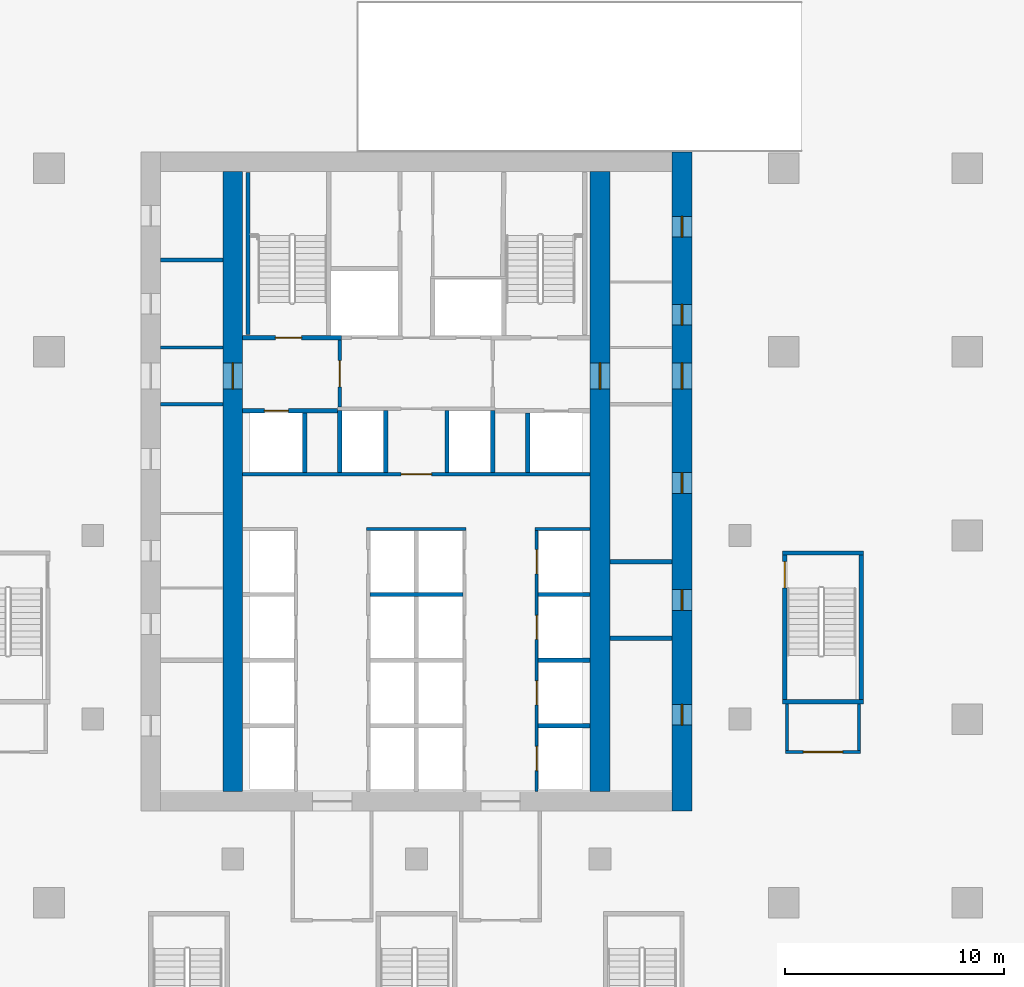
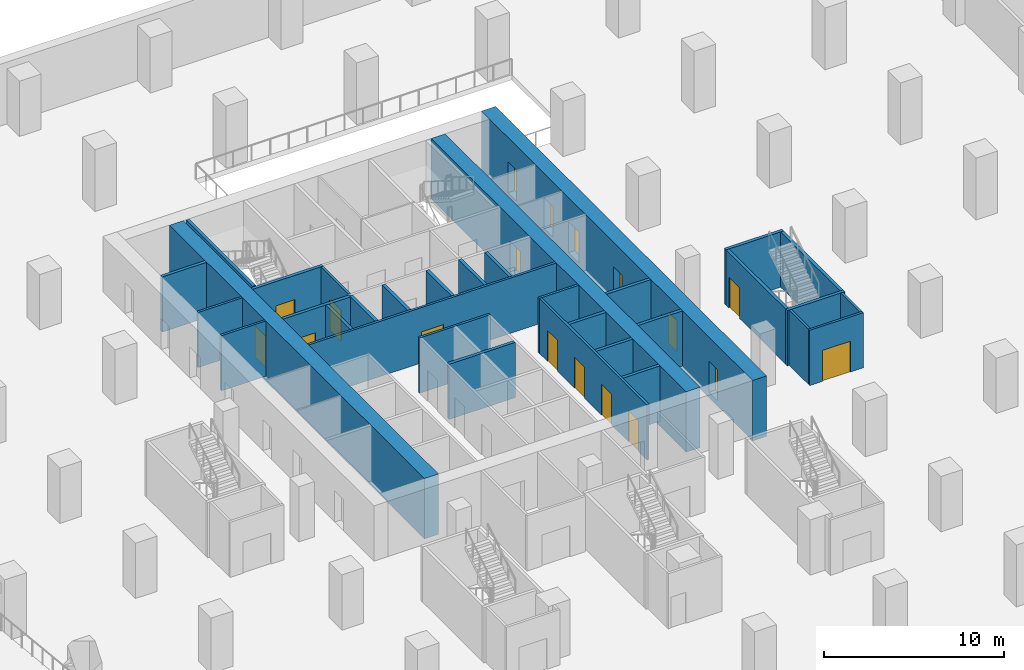
# One storey, part 6 of 17: 33 walls, 18 doors, 18 openings.
"""IFC4 building model written with IfcOpenShell, lengths in metres."""

from ifc_helpers import new_model, si_unit, direction, frame, frame_2d, origin, place, context, subcontext, project, spatial, rectangle, extrude, material, layer, layer_set, type_object, element, fill, save


model = new_model("IFC4")

# Units and contexts
model_context = context("Model", 3, precision=1e-05, world=origin(), true_north=direction((0.0, 1.0)))
body_context = subcontext(model_context, "Body", "Model", "MODEL_VIEW")
ifc_project = project(units=[si_unit("LENGTHUNIT", "METRE"), si_unit("AREAUNIT", "SQUARE_METRE"), si_unit("VOLUMEUNIT", "CUBIC_METRE"), si_unit("PLANEANGLEUNIT", "RADIAN"), si_unit("MASSUNIT", "GRAM", prefix="KILO")], contexts=[model_context])

# Site, building, storey
site_placement = place(None, origin())
site = spatial("IfcSite", under=ifc_project, at=site_placement, CompositionType="ELEMENT")
building_placement = place(site_placement, origin())
building = spatial("IfcBuilding", under=site, at=building_placement, Name="Vermilion Ogive Tower", CompositionType="ELEMENT")
storey_placement = place(building_placement, frame((0.0, 0.0, -4.199951171875)))
storey = spatial("IfcBuildingStorey", under=building, at=storey_placement, Name="B1", CompositionType="ELEMENT", Elevation=-4.199951171875)

# Wall, openings, doors
ifc_material_1 = material(Name="Concrete B80", Category="concrete")
ifc_layer_1 = layer(ifc_material_1, 0.89990234375)
ifc_layer_set_1 = layer_set([ifc_layer_1], Name="Core wall 900 B80")
wall_type_1 = type_object("IfcWallType", Name="Core wall 900 B80", PredefinedType="SHEAR", material=ifc_layer_set_1)
wall_1_placement = place(storey_placement, frame((12.14990234375, -8.39990234375, -0.35009765625), z_axis=(0.0, 0.0, 1.0), x_axis=(0.0, 1.0, 0.0)))
wall_1 = element("IfcWall", 1, at=wall_1_placement, inside=storey, type_object=wall_type_1, Name="B1-CORE-E", PredefinedType="SHEAR", context=body_context, shape_type="SweptSolid", body=[
    extrude(rectangle(XDim=30.14990234375, YDim=0.89990234375, at=frame_2d((15.074951171875, 0.0))), origin(), (0.0, 0.0, 1.0), 4.10009765625),
])
opening_1_placement = place(wall_1_placement, frame((3.925048828125, 0.0, 0.35009765625)))
opening_1 = element("IfcOpeningElement", 2, at=opening_1_placement, cuts=wall_1, Name="Opening DAU001", PredefinedType="OPENING", context=body_context, shape_type="SweptSolid", body=[
    extrude(rectangle(XDim=0.949951171875, YDim=2.10009765625, at=frame_2d((0.47509765625, 1.050048828125))), frame((0.0, 0.4599609375, 0.0), z_axis=(0.0, -1.0, 0.0), x_axis=(1.0, 0.0, 0.0)), (0.0, 0.0, 1.0), 0.919921875),
])
opening_2_placement = place(wall_1_placement, frame((9.175048828125, 0.0, 0.35009765625)))
opening_2 = element("IfcOpeningElement", 3, at=opening_2_placement, cuts=wall_1, Name="Opening DAU002", PredefinedType="OPENING", context=body_context, shape_type="SweptSolid", body=[
    extrude(rectangle(XDim=0.949951171875, YDim=2.10009765625, at=frame_2d((0.47509765625, 1.050048828125))), frame((0.0, 0.4599609375, 0.0), z_axis=(0.0, -1.0, 0.0), x_axis=(1.0, 0.0, 0.0)), (0.0, 0.0, 1.0), 0.919921875),
])
opening_3_placement = place(wall_1_placement, frame((14.52490234375, 0.0, 0.35009765625)))
opening_3 = element("IfcOpeningElement", 4, at=opening_3_placement, cuts=wall_1, Name="Opening DAU003", PredefinedType="OPENING", context=body_context, shape_type="SweptSolid", body=[
    extrude(rectangle(XDim=0.949951171875, YDim=2.10009765625, at=frame_2d((0.47509765625, 1.050048828125))), frame((0.0, 0.4599609375, 0.0), z_axis=(0.0, -1.0, 0.0), x_axis=(1.0, 0.0, 0.0)), (0.0, 0.0, 1.0), 0.919921875),
])
opening_4_placement = place(wall_1_placement, frame((22.22509765625, 0.0, 0.35009765625)))
opening_4 = element("IfcOpeningElement", 5, at=opening_4_placement, cuts=wall_1, Name="Opening DAU004", PredefinedType="OPENING", context=body_context, shape_type="SweptSolid", body=[
    extrude(rectangle(XDim=0.949951171875, YDim=2.10009765625, at=frame_2d((0.47509765625, 1.050048828125))), frame((0.0, 0.4599609375, 0.0), z_axis=(0.0, -1.0, 0.0), x_axis=(1.0, 0.0, 0.0)), (0.0, 0.0, 1.0), 0.919921875),
])
opening_5_placement = place(wall_1_placement, frame((26.25, 0.0, 0.35009765625)))
opening_5 = element("IfcOpeningElement", 6, at=opening_5_placement, cuts=wall_1, Name="Opening DAU005", PredefinedType="OPENING", context=body_context, shape_type="SweptSolid", body=[
    extrude(rectangle(XDim=0.949951171875, YDim=2.10009765625, at=frame_2d((0.47509765625, 1.050048828125))), frame((0.0, 0.4599609375, 0.0), z_axis=(0.0, -1.0, 0.0), x_axis=(1.0, 0.0, 0.0)), (0.0, 0.0, 1.0), 0.919921875),
])
opening_6_placement = place(wall_1_placement, frame((19.300048828125, 0.0, 0.35009765625)))
opening_6 = element("IfcOpeningElement", 7, at=opening_6_placement, cuts=wall_1, Name="Opening DBN001", PredefinedType="OPENING", context=body_context, shape_type="SweptSolid", body=[
    extrude(rectangle(XDim=1.199951171875, YDim=2.10009765625, at=frame_2d((0.60009765625, 1.050048828125))), frame((0.0, 0.4599609375, 0.0), z_axis=(0.0, -1.0, 0.0), x_axis=(1.0, 0.0, 0.0)), (0.0, 0.0, 1.0), 0.919921875),
])
ifc_material_2 = material(Name="Timber door leaf", Category="wood")
door_type_1 = type_object("IfcDoorType", Name="Link door 1200 x 2100 FD60S", OperationType="SINGLE_SWING_LEFT", PredefinedType="DOOR", material=ifc_material_2)
door_1_placement = place(opening_6_placement, origin())
door_1 = element("IfcDoor", 8, at=door_1_placement, inside=storey, type_object=door_type_1, Name="B1-CKE-XL", OperationType="SINGLE_SWING_LEFT", OverallHeight=2.10009765625, OverallWidth=1.199951171875, PredefinedType="DOOR", context=body_context, shape_type="SweptSolid", body=[
    extrude(rectangle(XDim=1.199951171875, YDim=2.10009765625, at=frame_2d((0.60009765625, 1.050048828125))), frame((0.0, 0.02490234375, 0.0), z_axis=(0.0, -1.0, 0.0), x_axis=(1.0, 0.0, 0.0)), (0.0, 0.0, 1.0), 0.050048828125),
])
fill(opening_6, door_1)
ifc_material_3 = material(Name="Timber door leaf", Category="wood")
door_type_2 = type_object("IfcDoorType", Name="Service door 950 x 2100 FD60", OperationType="SINGLE_SWING_LEFT", PredefinedType="DOOR", material=ifc_material_3)
door_2_placement = place(opening_1_placement, origin())
door_2 = element("IfcDoor", 9, at=door_2_placement, inside=storey, type_object=door_type_2, Name="B1-CKE-XR0", OperationType="SINGLE_SWING_LEFT", OverallHeight=2.10009765625, OverallWidth=0.949951171875, PredefinedType="DOOR", context=body_context, shape_type="SweptSolid", body=[
    extrude(rectangle(XDim=0.949951171875, YDim=2.10009765625, at=frame_2d((0.47509765625, 1.050048828125))), frame((0.0, 0.02490234375, 0.0), z_axis=(0.0, -1.0, 0.0), x_axis=(1.0, 0.0, 0.0)), (0.0, 0.0, 1.0), 0.050048828125),
])
fill(opening_1, door_2)
door_3_placement = place(opening_2_placement, origin())
door_3 = element("IfcDoor", 10, at=door_3_placement, inside=storey, type_object=door_type_2, Name="B1-CKE-XR1", OperationType="SINGLE_SWING_LEFT", OverallHeight=2.10009765625, OverallWidth=0.949951171875, PredefinedType="DOOR", context=body_context, shape_type="SweptSolid", body=[
    extrude(rectangle(XDim=0.949951171875, YDim=2.10009765625, at=frame_2d((0.47509765625, 1.050048828125))), frame((0.0, 0.02490234375, 0.0), z_axis=(0.0, -1.0, 0.0), x_axis=(1.0, 0.0, 0.0)), (0.0, 0.0, 1.0), 0.050048828125),
])
fill(opening_2, door_3)
door_4_placement = place(opening_3_placement, origin())
door_4 = element("IfcDoor", 11, at=door_4_placement, inside=storey, type_object=door_type_2, Name="B1-CKE-XR2", OperationType="SINGLE_SWING_LEFT", OverallHeight=2.10009765625, OverallWidth=0.949951171875, PredefinedType="DOOR", context=body_context, shape_type="SweptSolid", body=[
    extrude(rectangle(XDim=0.949951171875, YDim=2.10009765625, at=frame_2d((0.47509765625, 1.050048828125))), frame((0.0, 0.02490234375, 0.0), z_axis=(0.0, -1.0, 0.0), x_axis=(1.0, 0.0, 0.0)), (0.0, 0.0, 1.0), 0.050048828125),
])
fill(opening_3, door_4)
door_5_placement = place(opening_4_placement, origin())
door_5 = element("IfcDoor", 12, at=door_5_placement, inside=storey, type_object=door_type_2, Name="B1-CKE-XR3", OperationType="SINGLE_SWING_LEFT", OverallHeight=2.10009765625, OverallWidth=0.949951171875, PredefinedType="DOOR", context=body_context, shape_type="SweptSolid", body=[
    extrude(rectangle(XDim=0.949951171875, YDim=2.10009765625, at=frame_2d((0.47509765625, 1.050048828125))), frame((0.0, 0.02490234375, 0.0), z_axis=(0.0, -1.0, 0.0), x_axis=(1.0, 0.0, 0.0)), (0.0, 0.0, 1.0), 0.050048828125),
])
fill(opening_4, door_5)
door_6_placement = place(opening_5_placement, origin())
door_6 = element("IfcDoor", 13, at=door_6_placement, inside=storey, type_object=door_type_2, Name="B1-CKE-XR4", OperationType="SINGLE_SWING_LEFT", OverallHeight=2.10009765625, OverallWidth=0.949951171875, PredefinedType="DOOR", context=body_context, shape_type="SweptSolid", body=[
    extrude(rectangle(XDim=0.949951171875, YDim=2.10009765625, at=frame_2d((0.47509765625, 1.050048828125))), frame((0.0, 0.02490234375, 0.0), z_axis=(0.0, -1.0, 0.0), x_axis=(1.0, 0.0, 0.0)), (0.0, 0.0, 1.0), 0.050048828125),
])
fill(opening_5, door_6)

# Wall, opening, door
wall_2_placement = place(storey_placement, frame((-8.39990234375, -7.5, -0.35009765625), z_axis=(0.0, 0.0, 1.0), x_axis=(0.0, 1.0, 0.0)))
wall_2 = element("IfcWall", 14, at=wall_2_placement, inside=storey, type_object=wall_type_1, Name="B1-CORE-WEB1", PredefinedType="SHEAR", context=body_context, shape_type="SweptSolid", body=[
    extrude(rectangle(XDim=28.35009765625, YDim=0.89990234375, at=frame_2d((14.175048828125, 0.0))), origin(), (0.0, 0.0, 1.0), 4.10009765625),
])
opening_7_placement = place(wall_2_placement, frame((18.39990234375, 0.0, 0.35009765625)))
opening_7 = element("IfcOpeningElement", 15, at=opening_7_placement, cuts=wall_2, Name="Opening DBQ001", PredefinedType="OPENING", context=body_context, shape_type="SweptSolid", body=[
    extrude(rectangle(XDim=1.199951171875, YDim=2.10009765625, at=frame_2d((0.60009765625, 1.050048828125))), frame((0.0, 0.4599609375, 0.0), z_axis=(0.0, -1.0, 0.0), x_axis=(1.0, 0.0, 0.0)), (0.0, 0.0, 1.0), 0.919921875),
])
door_7_placement = place(opening_7_placement, origin())
door_7 = element("IfcDoor", 16, at=door_7_placement, inside=storey, type_object=door_type_1, Name="B1-CKW-XW", OperationType="SINGLE_SWING_LEFT", OverallHeight=2.10009765625, OverallWidth=1.199951171875, PredefinedType="DOOR", context=body_context, shape_type="SweptSolid", body=[
    extrude(rectangle(XDim=1.199951171875, YDim=2.10009765625, at=frame_2d((0.60009765625, 1.050048828125))), frame((0.0, 0.02490234375, 0.0), z_axis=(0.0, -1.0, 0.0), x_axis=(1.0, 0.0, 0.0)), (0.0, 0.0, 1.0), 0.050048828125),
])
fill(opening_7, door_7)

wall_3_placement = place(storey_placement, frame((8.39990234375, -7.5, -0.35009765625), z_axis=(0.0, 0.0, 1.0), x_axis=(0.0, 1.0, 0.0)))
wall_3 = element("IfcWall", 17, at=wall_3_placement, inside=storey, type_object=wall_type_1, Name="B1-CORE-WEB2", PredefinedType="SHEAR", context=body_context, shape_type="SweptSolid", body=[
    extrude(rectangle(XDim=28.35009765625, YDim=0.89990234375, at=frame_2d((14.175048828125, 0.0))), origin(), (0.0, 0.0, 1.0), 4.10009765625),
])
opening_8_placement = place(wall_3_placement, frame((18.39990234375, 0.0, 0.35009765625)))
opening_8 = element("IfcOpeningElement", 18, at=opening_8_placement, cuts=wall_3, Name="Opening DBP001", PredefinedType="OPENING", context=body_context, shape_type="SweptSolid", body=[
    extrude(rectangle(XDim=1.199951171875, YDim=2.10009765625, at=frame_2d((0.60009765625, 1.050048828125))), frame((0.0, 0.4599609375, 0.0), z_axis=(0.0, -1.0, 0.0), x_axis=(1.0, 0.0, 0.0)), (0.0, 0.0, 1.0), 0.919921875),
])
door_8_placement = place(opening_8_placement, origin())
door_8 = element("IfcDoor", 19, at=door_8_placement, inside=storey, type_object=door_type_1, Name="B1-CKE-XW", OperationType="SINGLE_SWING_LEFT", OverallHeight=2.10009765625, OverallWidth=1.199951171875, PredefinedType="DOOR", context=body_context, shape_type="SweptSolid", body=[
    extrude(rectangle(XDim=1.199951171875, YDim=2.10009765625, at=frame_2d((0.60009765625, 1.050048828125))), frame((0.0, 0.02490234375, 0.0), z_axis=(0.0, -1.0, 0.0), x_axis=(1.0, 0.0, 0.0)), (0.0, 0.0, 1.0), 0.050048828125),
])
fill(opening_8, door_8)

ifc_material_4 = material(Name="Gypsum board partition on steel studs", Category="steel")
ifc_layer_2 = layer(ifc_material_4, 0.14990234375)
ifc_layer_set_2 = layer_set([ifc_layer_2], Name="Partition 150 corridor")
wall_type_2 = type_object("IfcWallType", Name="Partition 150 corridor", PredefinedType="PARTITIONING", material=ifc_layer_set_2)
wall_4_placement = place(storey_placement, frame((16.875, -5.699951171875, 0.0), z_axis=(0.0, 0.0, 1.0), x_axis=(1.0, 0.0, 0.0)))
wall_4 = element("IfcWall", 20, at=wall_4_placement, inside=storey, type_object=wall_type_2, Name="B1-PK-W-W019", PredefinedType="PARTITIONING", context=body_context, shape_type="SweptSolid", body=[
    extrude(rectangle(XDim=3.449951171875, YDim=0.14990234375, at=frame_2d((1.72509765625, 0.0))), origin(), (0.0, 0.0, 1.0), 3.75),
])
opening_9_placement = place(wall_4_placement, frame((0.824951171875, 0.0, 0.0)))
opening_9 = element("IfcOpeningElement", 21, at=opening_9_placement, cuts=wall_4, Name="Opening PK1-06", PredefinedType="OPENING", context=body_context, shape_type="SweptSolid", body=[
    extrude(rectangle(XDim=1.800048828125, YDim=2.10009765625, at=frame_2d((0.89990234375, 1.050048828125))), frame((0.0, 0.0849609375, 0.0), z_axis=(0.0, -1.0, 0.0), x_axis=(1.0, 0.0, 0.0)), (0.0, 0.0, 1.0), 0.169921875),
])
ifc_material_5 = material(Name="Timber door leaf", Category="wood")
door_type_3 = type_object("IfcDoorType", Name="Lobby door 1800 x 2100 FD60S", OperationType="DOUBLE_DOOR_SINGLE_SWING", PredefinedType="DOOR", material=ifc_material_5)
door_9_placement = place(opening_9_placement, origin())
door_9 = element("IfcDoor", 22, at=door_9_placement, inside=storey, type_object=door_type_3, Name="B1-PK-D-D006", OperationType="DOUBLE_DOOR_SINGLE_SWING", OverallHeight=2.10009765625, OverallWidth=1.800048828125, PredefinedType="DOOR", context=body_context, shape_type="SweptSolid", body=[
    extrude(rectangle(XDim=1.800048828125, YDim=2.10009765625, at=frame_2d((0.89990234375, 1.050048828125))), frame((0.0, 0.02490234375, 0.0), z_axis=(0.0, -1.0, 0.0), x_axis=(1.0, 0.0, 0.0)), (0.0, 0.0, 1.0), 0.050048828125),
])
fill(opening_9, door_9)

# Walls
for number, where, z_axis, x_axis, name in (
    (23, (16.949951171875, -5.625, 0.0), (0.0, 0.0, 1.0), (0.0, 1.0, 0.0), "B1-PK-W-W050"),
    (24, (20.25, -5.625, 0.0), (0.0, 0.0, 1.0), (0.0, 1.0, 0.0), "B1-PK-W-W051"),
):
    element("IfcWall", number, at=place(storey_placement, frame(where, z_axis=z_axis, x_axis=x_axis)), inside=storey, type_object=wall_type_2, Name=name, PredefinedType="PARTITIONING", context=body_context, shape_type="SweptSolid", body=[
        extrude(rectangle(XDim=2.125, YDim=0.14990234375, at=frame_2d((1.0625, 0.0))), origin(), (0.0, 0.0, 1.0), 3.75),
    ])
wall_5_placement = place(storey_placement, frame((-2.27490234375, 4.5, 0.0), z_axis=(0.0, 0.0, 1.0), x_axis=(1.0, 0.0, 0.0)))
element("IfcWall", 25, at=wall_5_placement, inside=storey, type_object=wall_type_2, Name="B1-CK-W-W011", PredefinedType="PARTITIONING", context=body_context, shape_type="SweptSolid", body=[
    extrude(rectangle(XDim=4.5498046875, YDim=0.14990234375, at=frame_2d((2.27490234375, 0.0))), origin(), (0.0, 0.0, 1.0), 3.75),
])
wall_6_placement = place(storey_placement, frame((5.425048828125, 4.5, 0.0), z_axis=(0.0, 0.0, 1.0), x_axis=(1.0, 0.0, 0.0)))
element("IfcWall", 26, at=wall_6_placement, inside=storey, type_object=wall_type_2, Name="B1-CK-W-W012", PredefinedType="PARTITIONING", context=body_context, shape_type="SweptSolid", body=[
    extrude(rectangle(XDim=2.52392578125, YDim=0.14990234375, at=frame_2d((1.261962890625, 0.0))), origin(), (0.0, 0.0, 1.0), 3.75),
])

# Wall, opening, door
wall_7_placement = place(storey_placement, frame((-7.948974609375, 7.0, 0.0), z_axis=(0.0, 0.0, 1.0), x_axis=(1.0, 0.0, 0.0)))
wall_7 = element("IfcWall", 27, at=wall_7_placement, inside=storey, type_object=wall_type_2, Name="B1-CK-W-W013", PredefinedType="PARTITIONING", context=body_context, shape_type="SweptSolid", body=[
    extrude(rectangle(XDim=15.89794921875, YDim=0.14990234375, at=frame_2d((7.948974609375, 0.0))), origin(), (0.0, 0.0, 1.0), 3.75),
])
opening_10_placement = place(wall_7_placement, frame((7.2490234375, 0.0, 0.0)))
opening_10 = element("IfcOpeningElement", 28, at=opening_10_placement, cuts=wall_7, Name="Opening DAG003", PredefinedType="OPENING", context=body_context, shape_type="SweptSolid", body=[
    extrude(rectangle(XDim=1.39990234375, YDim=2.10009765625, at=frame_2d((0.699951171875, 1.050048828125))), frame((0.0, 0.0849609375, 0.0), z_axis=(0.0, -1.0, 0.0), x_axis=(1.0, 0.0, 0.0)), (0.0, 0.0, 1.0), 0.169921875),
])
ifc_material_6 = material(Name="Timber door leaf", Category="wood")
door_type_4 = type_object("IfcDoorType", Name="Lobby door 1400 x 2100 FD60S", OperationType="SINGLE_SWING_LEFT", PredefinedType="DOOR", material=ifc_material_6)
door_10_placement = place(opening_10_placement, origin())
door_10 = element("IfcDoor", 29, at=door_10_placement, inside=storey, type_object=door_type_4, Name="B1-CK-D-D021", OperationType="SINGLE_SWING_RIGHT", OverallHeight=2.10009765625, OverallWidth=1.39990234375, PredefinedType="DOOR", context=body_context, shape_type="SweptSolid", body=[
    extrude(rectangle(XDim=1.39990234375, YDim=2.10009765625, at=frame_2d((0.699951171875, 1.050048828125))), frame((0.0, 0.02490234375, 0.0), z_axis=(0.0, -1.0, 0.0), x_axis=(1.0, 0.0, 0.0)), (0.0, 0.0, 1.0), 0.050048828125),
])
fill(opening_10, door_10)

wall_8_placement = place(storey_placement, frame((-3.5, 10.074951171875, 0.0), z_axis=(0.0, 0.0, 1.0), x_axis=(0.0, 1.0, 0.0)))
wall_8 = element("IfcWall", 30, at=wall_8_placement, inside=storey, type_object=wall_type_2, Name="B1-CK-W-W026", PredefinedType="PARTITIONING", context=body_context, shape_type="SweptSolid", body=[
    extrude(rectangle(XDim=3.074951171875, YDim=0.14990234375, at=frame_2d((1.53759765625, 0.0))), origin(), (0.0, 0.0, 1.0), 3.75),
])
opening_11_placement = place(wall_8_placement, frame((0.925048828125, 0.0, 0.0)))
opening_11 = element("IfcOpeningElement", 31, at=opening_11_placement, cuts=wall_8, Name="Opening DAG001", PredefinedType="OPENING", context=body_context, shape_type="SweptSolid", body=[
    extrude(rectangle(XDim=1.199951171875, YDim=2.10009765625, at=frame_2d((0.60009765625, 1.050048828125))), frame((0.0, 0.0849609375, 0.0), z_axis=(0.0, -1.0, 0.0), x_axis=(1.0, 0.0, 0.0)), (0.0, 0.0, 1.0), 0.169921875),
])
ifc_material_7 = material(Name="Timber door leaf", Category="wood")
door_type_5 = type_object("IfcDoorType", Name="Lobby door 1200 x 2100 FD60S", OperationType="SINGLE_SWING_LEFT", PredefinedType="DOOR", material=ifc_material_7)
door_11_placement = place(opening_11_placement, origin())
door_11 = element("IfcDoor", 32, at=door_11_placement, inside=storey, type_object=door_type_5, Name="B1-CK-D-D028", OperationType="SINGLE_SWING_RIGHT", OverallHeight=2.10009765625, OverallWidth=1.199951171875, PredefinedType="DOOR", context=body_context, shape_type="SweptSolid", body=[
    extrude(rectangle(XDim=1.199951171875, YDim=2.10009765625, at=frame_2d((0.60009765625, 1.050048828125))), frame((0.0, 0.02490234375, 0.0), z_axis=(0.0, -1.0, 0.0), x_axis=(1.0, 0.0, 0.0)), (0.0, 0.0, 1.0), 0.050048828125),
])
fill(opening_11, door_11)

# Wall, openings, doors
wall_9_placement = place(storey_placement, frame((5.5, -7.4990234375, 0.0), z_axis=(0.0, 0.0, 1.0), x_axis=(0.0, 1.0, 0.0)))
wall_9 = element("IfcWall", 33, at=wall_9_placement, inside=storey, type_object=wall_type_2, Name="B1-CK-W-W040", PredefinedType="PARTITIONING", context=body_context, shape_type="SweptSolid", body=[
    extrude(rectangle(XDim=11.924072265625, YDim=0.14990234375, at=frame_2d((5.9619140625, 0.0))), origin(), (0.0, 0.0, 1.0), 3.75),
])
opening_12_placement = place(wall_9_placement, frame((0.948974609375, 0.0, 0.0)))
opening_12 = element("IfcOpeningElement", 34, at=opening_12_placement, cuts=wall_9, Name="Opening DAG014", PredefinedType="OPENING", context=body_context, shape_type="SweptSolid", body=[
    extrude(rectangle(XDim=1.10009765625, YDim=2.10009765625, at=frame_2d((0.550048828125, 1.050048828125))), frame((0.0, 0.0849609375, 0.0), z_axis=(0.0, -1.0, 0.0), x_axis=(1.0, 0.0, 0.0)), (0.0, 0.0, 1.0), 0.169921875),
])
opening_13_placement = place(wall_9_placement, frame((3.948974609375, 0.0, 0.0)))
opening_13 = element("IfcOpeningElement", 35, at=opening_13_placement, cuts=wall_9, Name="Opening DAG015", PredefinedType="OPENING", context=body_context, shape_type="SweptSolid", body=[
    extrude(rectangle(XDim=1.10009765625, YDim=2.10009765625, at=frame_2d((0.550048828125, 1.050048828125))), frame((0.0, 0.0849609375, 0.0), z_axis=(0.0, -1.0, 0.0), x_axis=(1.0, 0.0, 0.0)), (0.0, 0.0, 1.0), 0.169921875),
])
opening_14_placement = place(wall_9_placement, frame((6.948974609375, 0.0, 0.0)))
opening_14 = element("IfcOpeningElement", 36, at=opening_14_placement, cuts=wall_9, Name="Opening DAG016", PredefinedType="OPENING", context=body_context, shape_type="SweptSolid", body=[
    extrude(rectangle(XDim=1.10009765625, YDim=2.10009765625, at=frame_2d((0.550048828125, 1.050048828125))), frame((0.0, 0.0849609375, 0.0), z_axis=(0.0, -1.0, 0.0), x_axis=(1.0, 0.0, 0.0)), (0.0, 0.0, 1.0), 0.169921875),
])
opening_15_placement = place(wall_9_placement, frame((9.948974609375, 0.0, 0.0)))
opening_15 = element("IfcOpeningElement", 37, at=opening_15_placement, cuts=wall_9, Name="Opening DAG017", PredefinedType="OPENING", context=body_context, shape_type="SweptSolid", body=[
    extrude(rectangle(XDim=1.10009765625, YDim=2.10009765625, at=frame_2d((0.550048828125, 1.050048828125))), frame((0.0, 0.0849609375, 0.0), z_axis=(0.0, -1.0, 0.0), x_axis=(1.0, 0.0, 0.0)), (0.0, 0.0, 1.0), 0.169921875),
])
ifc_material_8 = material(Name="Stainless steel", Category="steel")
door_type_6 = type_object("IfcDoorType", Name="Lift landing door 1100 x 2100", OperationType="SLIDING_TO_LEFT", PredefinedType="DOOR", material=ifc_material_8)
door_12_placement = place(opening_12_placement, origin())
door_12 = element("IfcDoor", 38, at=door_12_placement, inside=storey, type_object=door_type_6, Name="B1-CK-D-D013", OperationType="SLIDING_TO_RIGHT", OverallHeight=2.10009765625, OverallWidth=1.10009765625, PredefinedType="DOOR", context=body_context, shape_type="SweptSolid", body=[
    extrude(rectangle(XDim=1.10009765625, YDim=2.10009765625, at=frame_2d((0.550048828125, 1.050048828125))), frame((0.0, 0.02490234375, 0.0), z_axis=(0.0, -1.0, 0.0), x_axis=(1.0, 0.0, 0.0)), (0.0, 0.0, 1.0), 0.050048828125),
])
fill(opening_12, door_12)
door_13_placement = place(opening_13_placement, origin())
door_13 = element("IfcDoor", 39, at=door_13_placement, inside=storey, type_object=door_type_6, Name="B1-CK-D-D014", OperationType="SLIDING_TO_RIGHT", OverallHeight=2.10009765625, OverallWidth=1.10009765625, PredefinedType="DOOR", context=body_context, shape_type="SweptSolid", body=[
    extrude(rectangle(XDim=1.10009765625, YDim=2.10009765625, at=frame_2d((0.550048828125, 1.050048828125))), frame((0.0, 0.02490234375, 0.0), z_axis=(0.0, -1.0, 0.0), x_axis=(1.0, 0.0, 0.0)), (0.0, 0.0, 1.0), 0.050048828125),
])
fill(opening_13, door_13)
door_14_placement = place(opening_14_placement, origin())
door_14 = element("IfcDoor", 40, at=door_14_placement, inside=storey, type_object=door_type_6, Name="B1-CK-D-D015", OperationType="SLIDING_TO_RIGHT", OverallHeight=2.10009765625, OverallWidth=1.10009765625, PredefinedType="DOOR", context=body_context, shape_type="SweptSolid", body=[
    extrude(rectangle(XDim=1.10009765625, YDim=2.10009765625, at=frame_2d((0.550048828125, 1.050048828125))), frame((0.0, 0.02490234375, 0.0), z_axis=(0.0, -1.0, 0.0), x_axis=(1.0, 0.0, 0.0)), (0.0, 0.0, 1.0), 0.050048828125),
])
fill(opening_14, door_14)
door_15_placement = place(opening_15_placement, origin())
door_15 = element("IfcDoor", 41, at=door_15_placement, inside=storey, type_object=door_type_6, Name="B1-CK-D-D016", OperationType="SLIDING_TO_RIGHT", OverallHeight=2.10009765625, OverallWidth=1.10009765625, PredefinedType="DOOR", context=body_context, shape_type="SweptSolid", body=[
    extrude(rectangle(XDim=1.10009765625, YDim=2.10009765625, at=frame_2d((0.550048828125, 1.050048828125))), frame((0.0, 0.02490234375, 0.0), z_axis=(0.0, -1.0, 0.0), x_axis=(1.0, 0.0, 0.0)), (0.0, 0.0, 1.0), 0.050048828125),
])
fill(opening_15, door_15)

# Walls
for number, where, z_axis, x_axis, name in (
    (42, (-11.698974609375, 10.199951171875, 0.0), (0.0, 0.0, 1.0), (1.0, 0.0, 0.0), "B1-CKW-W-W004"),
    (43, (-11.698974609375, 12.800048828125, 0.0), (0.0, 0.0, 1.0), (1.0, 0.0, 0.0), "B1-CKW-W-W005"),
):
    element("IfcWall", number, at=place(storey_placement, frame(where, z_axis=z_axis, x_axis=x_axis)), inside=storey, type_object=wall_type_2, Name=name, PredefinedType="PARTITIONING", context=body_context, shape_type="SweptSolid", body=[
        extrude(rectangle(XDim=2.847900390625, YDim=0.14990234375, at=frame_2d((1.423828125, 0.0))), origin(), (0.0, 0.0, 1.0), 3.75),
    ])
ifc_material_9 = material(Name="Gypsum board partition on steel studs", Category="steel")
ifc_layer_3 = layer(ifc_material_9, 0.199951171875)
ifc_layer_set_3 = layer_set([ifc_layer_3], Name="Partition 200 party")
wall_type_3 = type_object("IfcWallType", Name="Partition 200 party", PredefinedType="PARTITIONING", material=ifc_layer_set_3)
for number, where, z_axis, x_axis, name in (
    (44, (5.574951171875, -4.5, 0.0), (0.0, 0.0, 1.0), (1.0, 0.0, 0.0), "B1-CK-W-W003"),
    (45, (5.574951171875, -1.5, 0.0), (0.0, 0.0, 1.0), (1.0, 0.0, 0.0), "B1-CK-W-W006"),
):
    element("IfcWall", number, at=place(storey_placement, frame(where, z_axis=z_axis, x_axis=x_axis)), inside=storey, type_object=wall_type_3, Name=name, PredefinedType="PARTITIONING", context=body_context, shape_type="SweptSolid", body=[
        extrude(rectangle(XDim=2.3740234375, YDim=0.199951171875, at=frame_2d((1.18701171875, 0.0))), origin(), (0.0, 0.0, 1.0), 3.75),
    ])
wall_10_placement = place(storey_placement, frame((-2.125, 1.5, 0.0), z_axis=(0.0, 0.0, 1.0), x_axis=(1.0, 0.0, 0.0)))
element("IfcWall", 46, at=wall_10_placement, inside=storey, type_object=wall_type_3, Name="B1-CK-W-W008", PredefinedType="PARTITIONING", context=body_context, shape_type="SweptSolid", body=[
    extrude(rectangle(XDim=4.25, YDim=0.199951171875, at=frame_2d((2.125, 0.0))), origin(), (0.0, 0.0, 1.0), 3.75),
])
wall_11_placement = place(storey_placement, frame((5.574951171875, 1.5, 0.0), z_axis=(0.0, 0.0, 1.0), x_axis=(1.0, 0.0, 0.0)))
element("IfcWall", 47, at=wall_11_placement, inside=storey, type_object=wall_type_3, Name="B1-CK-W-W009", PredefinedType="PARTITIONING", context=body_context, shape_type="SweptSolid", body=[
    extrude(rectangle(XDim=2.3740234375, YDim=0.199951171875, at=frame_2d((1.18701171875, 0.0))), origin(), (0.0, 0.0, 1.0), 3.75),
])

# Wall, opening, door
wall_12_placement = place(storey_placement, frame((-7.948974609375, 9.89990234375, 0.0), z_axis=(0.0, 0.0, 1.0), x_axis=(1.0, 0.0, 0.0)))
wall_12 = element("IfcWall", 48, at=wall_12_placement, inside=storey, type_object=wall_type_3, Name="B1-CK-W-W014", PredefinedType="PARTITIONING", context=body_context, shape_type="SweptSolid", body=[
    extrude(rectangle(XDim=4.348876953125, YDim=0.199951171875, at=frame_2d((2.17431640625, 0.0))), origin(), (0.0, 0.0, 1.0), 3.75),
])
opening_16_placement = place(wall_12_placement, frame((0.9990234375, 0.0, 0.0)))
opening_16 = element("IfcOpeningElement", 49, at=opening_16_placement, cuts=wall_12, Name="Opening DAG018", PredefinedType="OPENING", context=body_context, shape_type="SweptSolid", body=[
    extrude(rectangle(XDim=1.10009765625, YDim=2.10009765625, at=frame_2d((0.550048828125, 1.050048828125))), frame((0.0, 0.10986328125, 0.0), z_axis=(0.0, -1.0, 0.0), x_axis=(1.0, 0.0, 0.0)), (0.0, 0.0, 1.0), 0.219970703125),
])
door_16_placement = place(opening_16_placement, origin())
door_16 = element("IfcDoor", 50, at=door_16_placement, inside=storey, type_object=door_type_6, Name="B1-CK-D-D018", OperationType="SLIDING_TO_RIGHT", OverallHeight=2.10009765625, OverallWidth=1.10009765625, PredefinedType="DOOR", context=body_context, shape_type="SweptSolid", body=[
    extrude(rectangle(XDim=1.10009765625, YDim=2.10009765625, at=frame_2d((0.550048828125, 1.050048828125))), frame((0.0, 0.02490234375, 0.0), z_axis=(0.0, -1.0, 0.0), x_axis=(1.0, 0.0, 0.0)), (0.0, 0.0, 1.0), 0.050048828125),
])
fill(opening_16, door_16)

# Walls
wall_13_placement = place(storey_placement, frame((-5.10009765625, 7.074951171875, 0.0), z_axis=(0.0, 0.0, 1.0), x_axis=(0.0, 1.0, 0.0)))
element("IfcWall", 51, at=wall_13_placement, inside=storey, type_object=wall_type_3, Name="B1-CK-W-W023", PredefinedType="PARTITIONING", context=body_context, shape_type="SweptSolid", body=[
    extrude(rectangle(XDim=2.72509765625, YDim=0.199951171875, at=frame_2d((1.362548828125, 0.0))), origin(), (0.0, 0.0, 1.0), 3.75),
])
for number, where, z_axis, x_axis, name in (
    (52, (-3.5, 7.074951171875, 0.0), (0.0, 0.0, 1.0), (0.0, 1.0, 0.0), "B1-CK-W-W025"),
    (53, (-1.39990234375, 7.074951171875, 0.0), (0.0, 0.0, 1.0), (0.0, 1.0, 0.0), "B1-CK-W-W028"),
    (54, (1.39990234375, 7.074951171875, 0.0), (0.0, 0.0, 1.0), (0.0, 1.0, 0.0), "B1-CK-W-W033"),
    (55, (3.5, 7.074951171875, 0.0), (0.0, 0.0, 1.0), (0.0, 1.0, 0.0), "B1-CK-W-W035"),
):
    element("IfcWall", number, at=place(storey_placement, frame(where, z_axis=z_axis, x_axis=x_axis)), inside=storey, type_object=wall_type_3, Name=name, PredefinedType="PARTITIONING", context=body_context, shape_type="SweptSolid", body=[
        extrude(rectangle(XDim=2.85009765625, YDim=0.199951171875, at=frame_2d((1.425048828125, 0.0))), origin(), (0.0, 0.0, 1.0), 3.75),
    ])
wall_14_placement = place(storey_placement, frame((5.10009765625, 7.074951171875, 0.0), z_axis=(0.0, 0.0, 1.0), x_axis=(0.0, 1.0, 0.0)))
element("IfcWall", 56, at=wall_14_placement, inside=storey, type_object=wall_type_3, Name="B1-CK-W-W039", PredefinedType="PARTITIONING", context=body_context, shape_type="SweptSolid", body=[
    extrude(rectangle(XDim=2.72509765625, YDim=0.199951171875, at=frame_2d((1.362548828125, 0.0))), origin(), (0.0, 0.0, 1.0), 3.75),
])
for number, where, z_axis, x_axis, name in (
    (57, (-11.698974609375, 16.800048828125, 0.0), (0.0, 0.0, 1.0), (1.0, 0.0, 0.0), "B1-CKW-W-W006"),
    (58, (8.85107421875, -0.5, 0.0), (0.0, 0.0, 1.0), (1.0, 0.0, 0.0), "B1-CKE-W-W001"),
    (59, (8.85107421875, 3.0, 0.0), (0.0, 0.0, 1.0), (1.0, 0.0, 0.0), "B1-CKE-W-W002"),
):
    element("IfcWall", number, at=place(storey_placement, frame(where, z_axis=z_axis, x_axis=x_axis)), inside=storey, type_object=wall_type_3, Name=name, PredefinedType="PARTITIONING", context=body_context, shape_type="SweptSolid", body=[
        extrude(rectangle(XDim=2.847900390625, YDim=0.199951171875, at=frame_2d((1.423828125, 0.0))), origin(), (0.0, 0.0, 1.0), 3.75),
    ])

# Wall, opening, door
ifc_material_10 = material(Name="Concrete B60", Category="concrete")
ifc_layer_4 = layer(ifc_material_10, 0.199951171875)
ifc_layer_set_4 = layer_set([ifc_layer_4], Name="Stair shaft wall 200 Concrete B60")
wall_type_4 = type_object("IfcWallType", Name="Stair shaft wall 200 Concrete B60", PredefinedType="SOLIDWALL", material=ifc_layer_set_4)
wall_15_placement = place(storey_placement, frame((-7.948974609375, 13.25, 0.0), z_axis=(0.0, 0.0, 1.0), x_axis=(1.0, 0.0, 0.0)))
wall_15 = element("IfcWall", 60, at=wall_15_placement, inside=storey, type_object=wall_type_4, Name="B1-CK-W-W017", PredefinedType="SOLIDWALL", context=body_context, shape_type="SweptSolid", body=[
    extrude(rectangle(XDim=4.52392578125, YDim=0.199951171875, at=frame_2d((2.261962890625, 0.0))), origin(), (0.0, 0.0, 1.0), 3.75),
])
opening_17_placement = place(wall_15_placement, frame((1.4990234375, 0.0, 0.0)))
opening_17 = element("IfcOpeningElement", 61, at=opening_17_placement, cuts=wall_15, Name="Opening DAG008", PredefinedType="OPENING", context=body_context, shape_type="SweptSolid", body=[
    extrude(rectangle(XDim=1.199951171875, YDim=2.10009765625, at=frame_2d((0.60009765625, 1.050048828125))), frame((0.0, 0.10986328125, 0.0), z_axis=(0.0, -1.0, 0.0), x_axis=(1.0, 0.0, 0.0)), (0.0, 0.0, 1.0), 0.219970703125),
])
ifc_material_11 = material(Name="Timber door leaf", Category="wood")
door_type_7 = type_object("IfcDoorType", Name="Stair door 1200 x 2100 FD60S", OperationType="SINGLE_SWING_LEFT", PredefinedType="DOOR", material=ifc_material_11)
door_17_placement = place(opening_17_placement, origin())
door_17 = element("IfcDoor", 62, at=door_17_placement, inside=storey, type_object=door_type_7, Name="B1-CK-D-D017", OperationType="SINGLE_SWING_LEFT", OverallHeight=2.10009765625, OverallWidth=1.199951171875, PredefinedType="DOOR", context=body_context, shape_type="SweptSolid", body=[
    extrude(rectangle(XDim=1.199951171875, YDim=2.10009765625, at=frame_2d((0.60009765625, 1.050048828125))), frame((0.0, 0.02490234375, 0.0), z_axis=(0.0, -1.0, 0.0), x_axis=(1.0, 0.0, 0.0)), (0.0, 0.0, 1.0), 0.050048828125),
])
fill(opening_17, door_17)

# Walls
for number, where, z_axis, x_axis, name in (
    (63, (16.75, -3.39990234375, 0.0), (0.0, 0.0, 1.0), (1.0, 0.0, 0.0), "B1-SW-ST8-S1"),
    (64, (16.75, 3.39990234375, 0.0), (0.0, 0.0, 1.0), (1.0, 0.0, 0.0), "B1-SW-ST8-N1"),
):
    element("IfcWall", number, at=place(storey_placement, frame(where, z_axis=z_axis, x_axis=x_axis)), inside=storey, type_object=wall_type_4, Name=name, PredefinedType="SOLIDWALL", context=body_context, shape_type="SweptSolid", body=[
        extrude(rectangle(XDim=3.699951171875, YDim=0.199951171875, at=frame_2d((1.85009765625, 0.0))), origin(), (0.0, 0.0, 1.0), 3.75),
    ])

# Wall, opening, door
wall_16_placement = place(storey_placement, frame((16.85009765625, -3.300048828125, 0.0), z_axis=(0.0, 0.0, 1.0), x_axis=(0.0, 1.0, 0.0)))
wall_16 = element("IfcWall", 65, at=wall_16_placement, inside=storey, type_object=wall_type_4, Name="B1-SW-ST8-W1", PredefinedType="SOLIDWALL", context=body_context, shape_type="SweptSolid", body=[
    extrude(rectangle(XDim=6.60009765625, YDim=0.199951171875, at=frame_2d((3.300048828125, 0.0))), origin(), (0.0, 0.0, 1.0), 3.75),
])
opening_18_placement = place(wall_16_placement, frame((5.10009765625, 0.0, 0.0)))
opening_18 = element("IfcOpeningElement", 66, at=opening_18_placement, cuts=wall_16, Name="Opening DBI001", PredefinedType="OPENING", context=body_context, shape_type="SweptSolid", body=[
    extrude(rectangle(XDim=1.199951171875, YDim=2.10009765625, at=frame_2d((0.60009765625, 1.050048828125))), frame((0.0, 0.10986328125, 0.0), z_axis=(0.0, -1.0, 0.0), x_axis=(1.0, 0.0, 0.0)), (0.0, 0.0, 1.0), 0.219970703125),
])
door_18_placement = place(opening_18_placement, origin())
door_18 = element("IfcDoor", 67, at=door_18_placement, inside=storey, type_object=door_type_7, Name="B1-SD-ST8", OperationType="SINGLE_SWING_LEFT", OverallHeight=2.10009765625, OverallWidth=1.199951171875, PredefinedType="DOOR", context=body_context, shape_type="SweptSolid", body=[
    extrude(rectangle(XDim=1.199951171875, YDim=2.10009765625, at=frame_2d((0.60009765625, 1.050048828125))), frame((0.0, 0.02490234375, 0.0), z_axis=(0.0, -1.0, 0.0), x_axis=(1.0, 0.0, 0.0)), (0.0, 0.0, 1.0), 0.050048828125),
])
fill(opening_18, door_18)

# Walls
wall_17_placement = place(storey_placement, frame((20.35009765625, -3.300048828125, 0.0), z_axis=(0.0, 0.0, 1.0), x_axis=(0.0, 1.0, 0.0)))
element("IfcWall", 68, at=wall_17_placement, inside=storey, type_object=wall_type_4, Name="B1-SW-ST8-E1", PredefinedType="SOLIDWALL", context=body_context, shape_type="SweptSolid", body=[
    extrude(rectangle(XDim=6.60009765625, YDim=0.199951171875, at=frame_2d((3.300048828125, 0.0))), origin(), (0.0, 0.0, 1.0), 3.75),
])
wall_18_placement = place(storey_placement, frame((-7.699951171875, 13.39990234375, 0.0), z_axis=(0.0, 0.0, 1.0), x_axis=(0.0, 1.0, 0.0)))
element("IfcWall", 69, at=wall_18_placement, inside=storey, type_object=wall_type_4, Name="B1-SW-R022-W1", PredefinedType="SOLIDWALL", context=body_context, shape_type="SweptSolid", body=[
    extrude(rectangle(XDim=7.400146484375, YDim=0.199951171875, at=frame_2d((3.7001953125, 0.0))), origin(), (0.0, 0.0, 1.0), 3.75),
])

save(model, "model.ifc")
